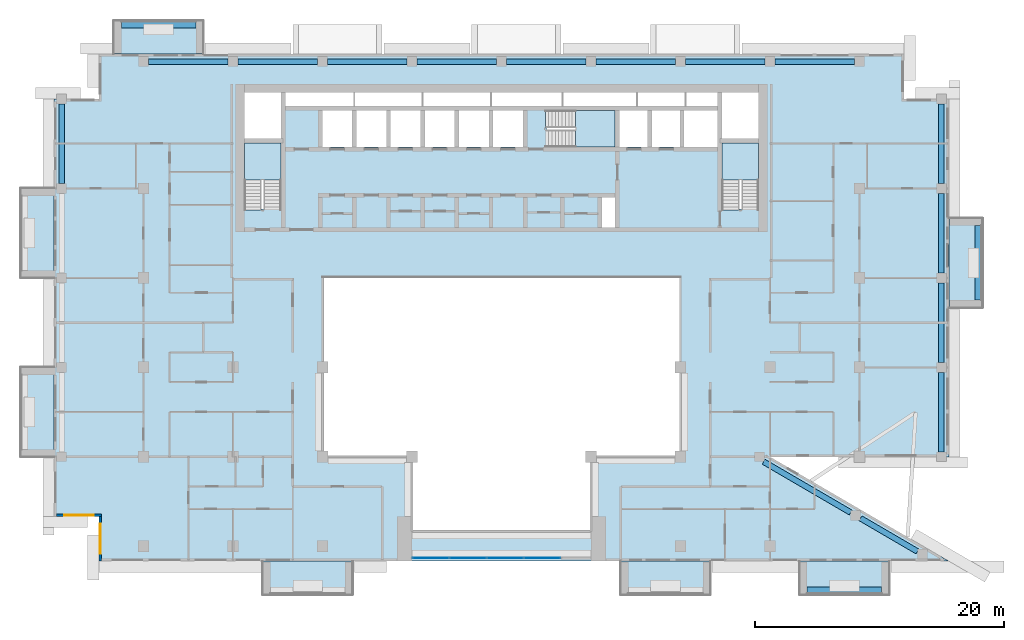
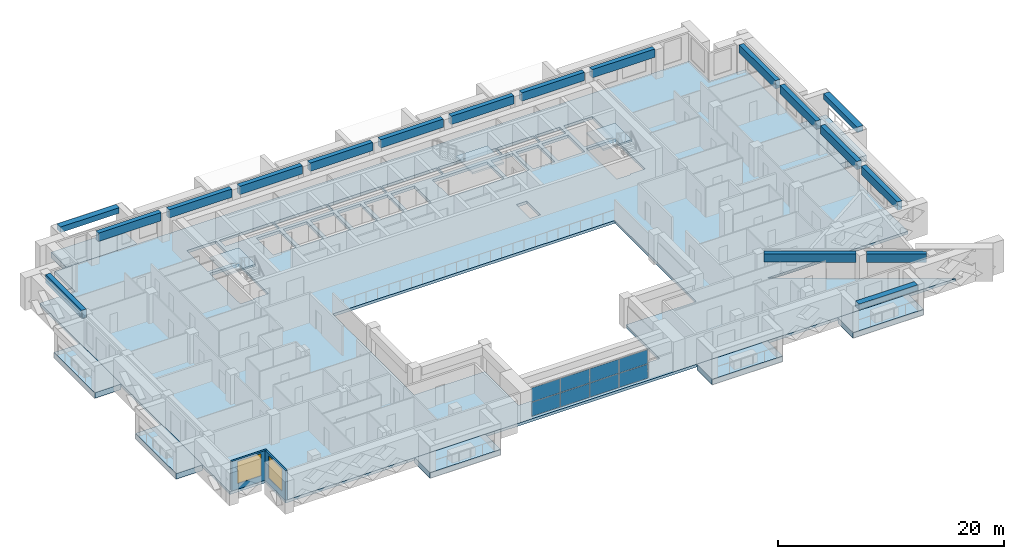
# One storey, part 5 of 20: 18 beams, 11 slabs, 8 plates, 2 walls, 2 windows, 2 openings, 4 elements without a shape of their own.
"""IFC4 building model written with IfcOpenShell, lengths in metres."""

import ifcopenshell
import ifcopenshell.guid

model = None  # the IFC model being written
_history = None  # IfcOwnerHistory: only IFC2X3 demands one
_inside = {}  # id of a spatial element -> (the spatial element, [elements in it])
_under = {}  # id of a project, library or spatial element -> (it, [spatial elements below it])
_declared = {}  # id of a project -> (the project, [libraries it declares])
_typed = {}  # id of a type object -> (the type object, [elements of that type])
_made_of = {}  # id of a material, layer set ... -> (it, [elements and type objects made of it])


def new_model(schema):
    """Start an empty IFC model of exactly this schema.

    Asked for "IFC4X3", IfcOpenShell would pick the latest addendum, in which some entities
    have other attributes; the version numbers below select the first issue.
    IFC2X3 requires an IfcOwnerHistory on every rooted entity: one is made here for all.
    """
    global model, _history
    if schema == "IFC4X3":
        model = ifcopenshell.file(schema_version=(4, 3, 0, 0))
    else:
        model = ifcopenshell.file(schema=schema)
    _inside.clear()
    _under.clear()
    _declared.clear()
    _typed.clear()
    _made_of.clear()
    _history = None
    if model.schema == "IFC2X3":
        org = make("IfcOrganization", Name="unknown")
        user = make(
            "IfcPersonAndOrganization",
            ThePerson=make("IfcPerson", FamilyName="unknown"),
            TheOrganization=org,
        )
        app = make(
            "IfcApplication",
            ApplicationDeveloper=org,
            Version="unknown",
            ApplicationFullName="unknown",
            ApplicationIdentifier="unknown",
        )
        _history = make(
            "IfcOwnerHistory",
            OwningUser=user,
            OwningApplication=app,
            ChangeAction="ADDED",
            CreationDate=0,
        )
    return model


def make(cls, **values):
    """One entity of the class cls with the attributes given. An attribute that is None is left unset."""
    return model.create_entity(
        cls, **{name: value for name, value in values.items() if value is not None}
    )


def rooted(cls, **values):
    """An entity with a GlobalId (a new one), such as an element, a storey or a relation."""
    return make(cls, GlobalId=ifcopenshell.guid.new(), OwnerHistory=_history, **values)


def si_unit(unit_type, name, prefix=None):
    """IfcSIUnit, for example si_unit("LENGTHUNIT", "METRE", prefix="MILLI")."""
    return make("IfcSIUnit", UnitType=unit_type, Prefix=prefix, Name=name)


def assignment(units):
    """IfcUnitAssignment: the units of a project."""
    return None if units is None else make("IfcUnitAssignment", Units=units)


def point(xyz):
    """IfcCartesianPoint."""
    return None if xyz is None else make("IfcCartesianPoint", Coordinates=xyz)


def direction(xyz):
    """IfcDirection."""
    return None if xyz is None else make("IfcDirection", DirectionRatios=xyz)


def frame(location, z_axis=None, x_axis=None):
    """IfcAxis2Placement3D, a coordinate frame: its origin and axes. An axis left out is left unset."""
    return make(
        "IfcAxis2Placement3D",
        Location=point(location),
        Axis=direction(z_axis),
        RefDirection=direction(x_axis),
    )


def frame_2d(location, x_axis=None):
    """IfcAxis2Placement2D, a coordinate frame in the plane: its origin and x axis."""
    return make(
        "IfcAxis2Placement2D", Location=point(location), RefDirection=direction(x_axis)
    )


def origin():
    """The frame at (0, 0, 0) with its axes left unset."""
    return frame((0.0, 0.0, 0.0))


def origin_2d():
    """The frame at (0, 0) in the plane with its x axis left unset."""
    return frame_2d((0.0, 0.0))


def place(relative_to, where):
    """IfcLocalPlacement: puts the frame where relative to a parent placement (None: the world)."""
    return make(
        "IfcLocalPlacement", PlacementRelTo=relative_to, RelativePlacement=where
    )


def context(
    kind, dimensions, precision=None, world=None, true_north=None, identifier=None
):
    """IfcGeometricRepresentationContext, for example the 3D "Model" context."""
    return make(
        "IfcGeometricRepresentationContext",
        ContextIdentifier=identifier,
        ContextType=kind,
        CoordinateSpaceDimension=dimensions,
        Precision=precision,
        WorldCoordinateSystem=world,
        TrueNorth=true_north,
    )


def subcontext(parent, identifier, kind, view, scale=None):
    """IfcGeometricRepresentationSubContext, for example "Body" below "Model"."""
    return make(
        "IfcGeometricRepresentationSubContext",
        ContextIdentifier=identifier,
        ContextType=kind,
        ParentContext=parent,
        TargetScale=scale,
        TargetView=view,
    )


def project(units=None, contexts=None):
    """IfcProject with its units and contexts."""
    return rooted(
        "IfcProject",
        Name="project",
        RepresentationContexts=contexts,
        UnitsInContext=assignment(units),
    )


def spatial(cls, under=None, at=None, **own):
    """A site, building, storey or space (cls), placed at a placement, below another one or the project."""
    s = rooted(cls, ObjectPlacement=at, **own)
    if under is not None:
        _under.setdefault(under.id(), (under, []))[1].append(s)
    return s


def polyline(points):
    """IfcPolyline through the points."""
    return make("IfcPolyline", Points=[point(p) for p in points])


def profile(cls, at=None, kind="AREA", **sizes):
    """A parametric profile (cls). Its sizes go by their IFC names, for example OverallWidth=200.0."""
    return make(cls, ProfileType=kind, Position=at, **sizes)


def rectangle(**sizes):
    """IfcRectangleProfileDef."""
    return profile("IfcRectangleProfileDef", **sizes)


def outline(outer, holes=None, kind="AREA"):
    """IfcArbitraryClosedProfileDef: a profile drawn as a closed curve; with holes, ...WithVoids."""
    if holes is None:
        return make("IfcArbitraryClosedProfileDef", ProfileType=kind, OuterCurve=outer)
    return make(
        "IfcArbitraryProfileDefWithVoids",
        ProfileType=kind,
        OuterCurve=outer,
        InnerCurves=holes,
    )


def extrude(swept, where, along, depth):
    """IfcExtrudedAreaSolid: the profile swept, set in the frame where, extruded along a direction by depth."""
    return make(
        "IfcExtrudedAreaSolid",
        SweptArea=swept,
        Position=where,
        ExtrudedDirection=direction(along),
        Depth=depth,
    )


def shape(context_of_items, identifier, shape_type, items):
    """IfcShapeRepresentation: the items that make up one representation, for example the "Body"."""
    return make(
        "IfcShapeRepresentation",
        ContextOfItems=context_of_items,
        RepresentationIdentifier=identifier,
        RepresentationType=shape_type,
        Items=items,
    )


def source(mapping_origin, context_of_items, identifier, shape_type, items):
    """IfcRepresentationMap: a shape defined once, which mapped items show again and again."""
    return make(
        "IfcRepresentationMap",
        MappingOrigin=mapping_origin,
        MappedRepresentation=shape(context_of_items, identifier, shape_type, items),
    )


def transform(
    local_origin,
    x_axis=None,
    y_axis=None,
    z_axis=None,
    scale=None,
    scale2=None,
    scale3=None,
    uniform=True,
):
    """IfcCartesianTransformationOperator3D, or its non-uniform kind. x_axis, y_axis, z_axis: its Axis1, 2, 3."""
    if uniform:
        return make(
            "IfcCartesianTransformationOperator3D",
            Axis1=direction(x_axis),
            Axis2=direction(y_axis),
            LocalOrigin=point(local_origin),
            Scale=scale,
            Axis3=direction(z_axis),
        )
    return make(
        "IfcCartesianTransformationOperator3DnonUniform",
        Axis1=direction(x_axis),
        Axis2=direction(y_axis),
        LocalOrigin=point(local_origin),
        Scale=scale,
        Axis3=direction(z_axis),
        Scale2=scale2,
        Scale3=scale3,
    )


def mapped(mapping_source, mapping_target):
    """IfcMappedItem: shows the shape of a source again, moved by a transform."""
    return make(
        "IfcMappedItem", MappingSource=mapping_source, MappingTarget=mapping_target
    )


def material(Name=None, Category=None):
    """IfcMaterial."""
    return make("IfcMaterial", Name=Name, Category=Category)


def layer(
    of_material, thickness, ventilated=None, Name=None, Category=None, Priority=None
):
    """IfcMaterialLayer: one layer of a wall or slab, of a material (None: an air gap)."""
    return make(
        "IfcMaterialLayer",
        Material=of_material,
        LayerThickness=thickness,
        IsVentilated=ventilated,
        Name=Name,
        Category=Category,
        Priority=Priority,
    )


def layer_set(layers, Name=None):
    """IfcMaterialLayerSet."""
    return make("IfcMaterialLayerSet", MaterialLayers=layers, LayerSetName=Name)


def material_profile(
    of_material, cross_section, Name=None, Category=None, Priority=None
):
    """IfcMaterialProfile: a cross section and its material."""
    return make(
        "IfcMaterialProfile",
        Name=Name,
        Material=of_material,
        Profile=cross_section,
        Priority=Priority,
        Category=Category,
    )


def profile_set(profiles, Name=None, composite=None):
    """IfcMaterialProfileSet."""
    return make(
        "IfcMaterialProfileSet",
        Name=Name,
        MaterialProfiles=profiles,
        CompositeProfile=composite,
    )


def made_of(thing, what):
    """Note that an element or type object is made of a material, layer set ...; save() writes the relation."""
    if what is not None:
        _made_of.setdefault(what.id(), (what, []))[1].append(thing)
    return thing


def type_object(cls, material=None, **own):
    """A type object (cls), such as IfcWallType, which elements share."""
    return made_of(rooted(cls, **own), material)


def element(
    cls,
    number,
    at=None,
    inside=None,
    cuts=None,
    type_object=None,
    material=None,
    context=None,
    identifier="Body",
    shape_type=None,
    held_by="IfcProductDefinitionShape",
    body=None,
    shapes=None,
    **own,
):
    """One element of the class cls, such as IfcWall. Its Tag is "e" and its number.

    at: its placement. inside: the storey or other place that contains it. cuts: it is an
    opening in that element (IfcRelVoidsElement). A single representation is given by context,
    identifier, shape_type and body (its items); several are given by shapes. held_by: the class
    of the entity that holds the representations. save() writes the other relations.
    """
    e = rooted(cls, Tag="e%d" % number, ObjectPlacement=at, **own)
    if body is not None:
        shapes = [shape(context, identifier, shape_type, body)]
    if shapes is not None:
        e.Representation = make(held_by, Representations=shapes)
    if inside is not None:
        _inside.setdefault(inside.id(), (inside, []))[1].append(e)
    if cuts is not None:
        rooted(
            "IfcRelVoidsElement", RelatingBuildingElement=cuts, RelatedOpeningElement=e
        )
    if type_object is not None:
        _typed.setdefault(type_object.id(), (type_object, []))[1].append(e)
    return made_of(e, material)


def fill(opening, filler):
    """IfcRelFillsElement: the door or window that sits in an opening."""
    return rooted(
        "IfcRelFillsElement",
        RelatingOpeningElement=opening,
        RelatedBuildingElement=filler,
    )


def aggregate(whole, parts):
    """IfcRelAggregates: a whole, such as a stair, and the parts it consists of."""
    return rooted("IfcRelAggregates", RelatingObject=whole, RelatedObjects=parts)


def save(model, path):
    """Write the relations noted so far, then the file.

    IfcRelAggregates (storeys below a building ...), IfcRelContainedInSpatialStructure (elements
    in a storey), IfcRelDefinesByType, IfcRelAssociatesMaterial and IfcRelDeclares: one each for
    every whole, place, type object, material and project.
    """
    for whole, parts in _under.values():
        aggregate(whole, parts)
    for where, things in _inside.values():
        rooted(
            "IfcRelContainedInSpatialStructure",
            RelatedElements=things,
            RelatingStructure=where,
        )
    for kind, things in _typed.values():
        rooted("IfcRelDefinesByType", RelatedObjects=things, RelatingType=kind)
    for what, things in _made_of.values():
        rooted("IfcRelAssociatesMaterial", RelatedObjects=things, RelatingMaterial=what)
    for by, libraries in _declared.values():
        rooted("IfcRelDeclares", RelatingContext=by, RelatedDefinitions=libraries)
    model.write(path)


model = new_model("IFC4")

# Units and contexts
model_context = context("Model", 3, precision=1e-05, world=origin(), true_north=direction((0.0, 1.0)))
body_context = subcontext(model_context, "Body", "Model", "MODEL_VIEW")
ifc_project = project(units=[si_unit("LENGTHUNIT", "METRE"), si_unit("AREAUNIT", "SQUARE_METRE"), si_unit("VOLUMEUNIT", "CUBIC_METRE"), si_unit("PLANEANGLEUNIT", "RADIAN"), si_unit("MASSUNIT", "GRAM", prefix="KILO")], contexts=[model_context])

# Site, building, storey
site_placement = place(None, origin())
site = spatial("IfcSite", under=ifc_project, at=site_placement, CompositionType="ELEMENT")
building_placement = place(site_placement, origin())
building = spatial("IfcBuilding", under=site, at=building_placement, Name="Saffron Iwan Residences", CompositionType="ELEMENT")
storey_placement = place(building_placement, frame((0.0, 0.0, 174.5)))
storey = spatial("IfcBuildingStorey", under=building, at=storey_placement, Name="L46", CompositionType="ELEMENT", Elevation=174.5)

# Beams
ifc_material_1 = material(Name="Concrete C50/60", Category="concrete")
ifc_material_profile_1 = material_profile(ifc_material_1, rectangle(XDim=0.449951171875, YDim=0.89990234375, at=origin_2d()), Name="RC 450x900")
ifc_profile_set_1 = profile_set([ifc_material_profile_1], Name="Concrete C50/60")
beam_type_1 = type_object("IfcBeamType", Name="SPANDREL BEAM RC 450x900 C50/60 TOP 3200", PredefinedType="SPANDREL", material=ifc_profile_set_1)
shared_shape_1 = source(origin(), body_context, "Body", "SweptSolid", [
    extrude(rectangle(XDim=0.449951171875, YDim=0.89990234375, at=origin_2d()), origin(), (0.0, 0.0, 1.0), 5.300537109375),
])
beam_1_placement = place(storey_placement, frame((79.297607421875, 43.04833984375, 2.75), z_axis=(0.86379560586, -0.503842387357, 0.0), x_axis=(0.503842387357, 0.86379560586, 0.0)))
element("IfcBeam", 1, at=beam_1_placement, inside=storey, type_object=beam_type_1, Name="Spandrel beam", PredefinedType="SPANDREL", context=body_context, shape_type="MappedRepresentation", body=[
    mapped(shared_shape_1, transform((0.0, 0.0, 0.0))),
])
shared_shape_2 = source(origin(), body_context, "Body", "SweptSolid", [
    extrude(rectangle(XDim=0.449951171875, YDim=0.89990234375, at=origin_2d()), origin(), (0.0, 0.0, 1.0), 8.107177734375),
])
beam_2_placement = place(storey_placement, frame((71.494873046875, 47.60009765625, 2.75), z_axis=(0.863783269703, -0.503863536071, 0.0), x_axis=(0.503863536071, 0.863783269703, 0.0)))
element("IfcBeam", 2, at=beam_2_placement, inside=storey, type_object=beam_type_1, Name="Spandrel beam", PredefinedType="SPANDREL", context=body_context, shape_type="MappedRepresentation", body=[
    mapped(shared_shape_2, transform((0.0, 0.0, 0.0))),
])
shared_shape_3 = source(origin(), body_context, "Body", "SweptSolid", [
    extrude(rectangle(XDim=0.449951171875, YDim=0.89990234375, at=origin_2d()), origin(), (0.0, 0.0, 1.0), 6.400146484375),
])
for number, where, z_axis, x_axis, name in (
    (3, (85.800048828125, 54.800048828125, 2.75), (0.0, -1.0, 0.0), (1.0, 0.0, 0.0), "Spandrel beam"),
    (4, (29.199951171875, 79.800048828125, 2.75), (1.0, 0.0, 0.0), (0.0, 1.0, 0.0), "Spandrel beam"),
    (5, (36.39990234375, 79.800048828125, 2.75), (1.0, 0.0, 0.0), (0.0, 1.0, 0.0), "Spandrel beam"),
    (6, (65.199951171875, 79.800048828125, 2.75), (1.0, 0.0, 0.0), (0.0, 1.0, 0.0), "Spandrel beam"),
    (7, (72.39990234375, 79.800048828125, 2.75), (1.0, 0.0, 0.0), (0.0, 1.0, 0.0), "Spandrel beam"),
):
    element("IfcBeam", number, at=place(storey_placement, frame(where, z_axis=z_axis, x_axis=x_axis)), inside=storey, type_object=beam_type_1, Name=name, PredefinedType="SPANDREL", context=body_context, shape_type="MappedRepresentation", body=[
        mapped(shared_shape_3, transform((0.0, 0.0, 0.0))),
    ])
shared_shape_4 = source(origin(), body_context, "Body", "SweptSolid", [
    extrude(rectangle(XDim=0.449951171875, YDim=0.89990234375, at=origin_2d()), origin(), (0.0, 0.0, 1.0), 6.39990234375),
])
for number, where, z_axis, x_axis, name in (
    (8, (85.800048828125, 62.0, 2.75), (0.0, -1.0, 0.0), (1.0, 0.0, 0.0), "Spandrel beam"),
    (9, (85.800048828125, 69.199951171875, 2.75), (0.0, -1.0, 0.0), (1.0, 0.0, 0.0), "Spandrel beam"),
    (10, (15.0, 70.0, 2.75), (0.0, 1.0, 0.0), (-1.0, 0.0, 0.0), "Spandrel beam"),
    (11, (85.800048828125, 76.39990234375, 2.75), (0.0, -1.0, 0.0), (1.0, 0.0, 0.0), "Spandrel beam"),
    (12, (22.0, 79.800048828125, 2.75), (1.0, 0.0, 0.0), (0.0, 1.0, 0.0), "Spandrel beam"),
    (13, (43.60009765625, 79.800048828125, 2.75), (1.0, 0.0, 0.0), (0.0, 1.0, 0.0), "Spandrel beam"),
    (14, (50.800048828125, 79.800048828125, 2.75), (1.0, 0.0, 0.0), (0.0, 1.0, 0.0), "Spandrel beam"),
    (15, (58.0, 79.800048828125, 2.75), (1.0, 0.0, 0.0), (0.0, 1.0, 0.0), "Spandrel beam"),
):
    element("IfcBeam", number, at=place(storey_placement, frame(where, z_axis=z_axis, x_axis=x_axis)), inside=storey, type_object=beam_type_1, Name=name, PredefinedType="SPANDREL", context=body_context, shape_type="MappedRepresentation", body=[
        mapped(shared_shape_4, transform((0.0, 0.0, 0.0))),
    ])
ifc_material_2 = material(Name="Concrete C50/60 white painted", Category="concrete")
ifc_material_profile_2 = material_profile(ifc_material_2, rectangle(XDim=0.60009765625, YDim=0.60009765625, at=origin_2d()), Name="BALCONY FASCIA BEAM 600 x 600")
ifc_profile_set_2 = profile_set([ifc_material_profile_2], Name="Concrete C50/60 white painted")
beam_type_2 = type_object("IfcBeamType", Name="BALCONY FASCIA BEAM 600 x 600", PredefinedType="BEAM", material=ifc_profile_set_2)
shared_shape_5 = source(origin(), body_context, "Body", "SweptSolid", [
    extrude(rectangle(XDim=0.60009765625, YDim=0.60009765625, at=origin_2d()), origin(), (0.0, 0.0, 1.0), 6.0),
])
for number, where, z_axis, x_axis, name in (
    (16, (88.800048828125, 60.60009765625, 2.550048828125), (0.0, 1.0, 0.0), (-1.0, 0.0, 0.0), "Balcony fascia beam L46 F2-0"),
    (17, (25.800048828125, 82.800048828125, 2.550048828125), (-1.0, 0.0, 0.0), (0.0, -1.0, 0.0), "Balcony fascia beam L46 F5-3"),
    (18, (75.0, 37.199951171875, 2.550048828125), (1.0, 0.0, 0.0), (0.0, 1.0, 0.0), "Balcony fascia beam L46 11-2"),
):
    element("IfcBeam", number, at=place(storey_placement, frame(where, z_axis=z_axis, x_axis=x_axis)), inside=storey, type_object=beam_type_2, Name=name, PredefinedType="BEAM", context=body_context, shape_type="MappedRepresentation", body=[
        mapped(shared_shape_5, transform((0.0, 0.0, 0.0))),
    ])

# Slabs
ifc_layer_1 = layer(ifc_material_2, 0.60009765625)
ifc_layer_set_1 = layer_set([ifc_layer_1], Name="Concrete C50/60 white painted")
slab_type_1 = type_object("IfcSlabType", Name="BALCONY FRAME SLAB 600", PredefinedType="FLOOR", material=ifc_layer_set_1)
slab_1_placement = place(storey_placement, frame((0.0, 0.0, -0.60009765625)))
element("IfcSlab", 19, at=slab_1_placement, inside=storey, type_object=slab_type_1, Name="Balcony frame slab L46 F2-0", PredefinedType="FLOOR", context=body_context, shape_type="SweptSolid", body=[
    extrude(outline(polyline([(89.10009765625, 60.0), (89.10009765625, 67.199951171875), (86.39990234375, 67.199951171875), (86.39990234375, 60.0), (89.10009765625, 60.0)])), origin(), (0.0, 0.0, 1.0), 0.60009765625),
])
slab_2_placement = place(storey_placement, frame((0.0, 0.0, -0.60009765625)))
element("IfcSlab", 20, at=slab_2_placement, inside=storey, type_object=slab_type_1, Name="Balcony frame slab L46 F5-3", PredefinedType="FLOOR", context=body_context, shape_type="SweptSolid", body=[
    extrude(outline(polyline([(26.39990234375, 83.10009765625), (19.199951171875, 83.10009765625), (19.199951171875, 80.39990234375), (26.39990234375, 80.39990234375), (26.39990234375, 83.10009765625)])), origin(), (0.0, 0.0, 1.0), 0.60009765625),
])
slab_3_placement = place(storey_placement, frame((0.0, 0.0, -0.60009765625)))
element("IfcSlab", 21, at=slab_3_placement, inside=storey, type_object=slab_type_1, Name="Balcony frame slab L46 F8-0", PredefinedType="FLOOR", context=body_context, shape_type="SweptSolid", body=[
    extrude(outline(polyline([(11.699951171875, 69.60009765625), (11.699951171875, 62.39990234375), (14.39990234375, 62.39990234375), (14.39990234375, 69.60009765625), (11.699951171875, 69.60009765625)])), origin(), (0.0, 0.0, 1.0), 0.60009765625),
])
slab_4_placement = place(storey_placement, frame((0.0, 0.0, -0.60009765625)))
element("IfcSlab", 22, at=slab_4_placement, inside=storey, type_object=slab_type_1, Name="Balcony frame slab L46 F8-1", PredefinedType="FLOOR", context=body_context, shape_type="SweptSolid", body=[
    extrude(outline(polyline([(11.699951171875, 55.199951171875), (11.699951171875, 48.0), (14.39990234375, 48.0), (14.39990234375, 55.199951171875), (11.699951171875, 55.199951171875)])), origin(), (0.0, 0.0, 1.0), 0.60009765625),
])
slab_5_placement = place(storey_placement, frame((0.0, 0.0, -0.60009765625)))
element("IfcSlab", 23, at=slab_5_placement, inside=storey, type_object=slab_type_1, Name="Balcony frame slab L46 11-0", PredefinedType="FLOOR", context=body_context, shape_type="SweptSolid", body=[
    extrude(outline(polyline([(31.199951171875, 36.89990234375), (38.39990234375, 36.89990234375), (38.39990234375, 39.60009765625), (31.199951171875, 39.60009765625), (31.199951171875, 36.89990234375)])), origin(), (0.0, 0.0, 1.0), 0.60009765625),
])
slab_6_placement = place(storey_placement, frame((0.0, 0.0, -0.60009765625)))
element("IfcSlab", 24, at=slab_6_placement, inside=storey, type_object=slab_type_1, Name="Balcony frame slab L46 11-1", PredefinedType="FLOOR", context=body_context, shape_type="SweptSolid", body=[
    extrude(outline(polyline([(60.0, 36.89990234375), (67.199951171875, 36.89990234375), (67.199951171875, 39.60009765625), (60.0, 39.60009765625), (60.0, 36.89990234375)])), origin(), (0.0, 0.0, 1.0), 0.60009765625),
])
slab_7_placement = place(storey_placement, frame((0.0, 0.0, -0.60009765625)))
element("IfcSlab", 25, at=slab_7_placement, inside=storey, type_object=slab_type_1, Name="Balcony frame slab L46 11-2", PredefinedType="FLOOR", context=body_context, shape_type="SweptSolid", body=[
    extrude(outline(polyline([(74.39990234375, 36.89990234375), (81.60009765625, 36.89990234375), (81.60009765625, 39.60009765625), (74.39990234375, 39.60009765625), (74.39990234375, 36.89990234375)])), origin(), (0.0, 0.0, 1.0), 0.60009765625),
])
ifc_material_3 = material(Name="Concrete C40/50", Category="concrete")
ifc_layer_2 = layer(ifc_material_3, 0.300048828125)
ifc_layer_set_2 = layer_set([ifc_layer_2], Name="Concrete C40/50")
slab_type_2 = type_object("IfcSlabType", Name="PT PLATE 300 C40/50", PredefinedType="FLOOR", material=ifc_layer_set_2)
slab_8_placement = place(storey_placement, frame((0.0, 0.0, -0.300048828125)))
element("IfcSlab", 26, at=slab_8_placement, inside=storey, type_object=slab_type_2, Name="Floor slab L46", PredefinedType="FLOOR", context=body_context, shape_type="SweptSolid", body=[
    extrude(outline(polyline([(14.39990234375, 43.199951171875), (14.39990234375, 76.800048828125), (18.0, 76.800048828125), (18.0, 80.39990234375), (82.800048828125, 80.39990234375), (82.800048828125, 76.800048828125), (86.39990234375, 76.800048828125), (86.39990234375, 48.0), (72.0, 48.0), (86.39990234375, 39.60009765625), (18.0, 39.60009765625), (18.0, 43.199951171875), (14.39990234375, 43.199951171875)]), holes=[polyline([(64.800048828125, 48.0), (64.800048828125, 62.39990234375), (36.0, 62.39990234375), (36.0, 48.0), (43.199951171875, 48.0), (43.199951171875, 42.0), (57.60009765625, 42.0), (57.60009765625, 48.0), (64.800048828125, 48.0)]), polyline([(29.699951171875, 73.25), (29.699951171875, 67.949951171875), (29.699951171875, 67.8505859375), (31.10009765625, 67.8505859375), (31.10009765625, 67.949951171875), (32.64990234375, 67.949951171875), (32.64990234375, 73.25), (29.699951171875, 73.25)]), polyline([(38.375, 75.875), (35.97509765625, 75.875), (35.97509765625, 72.925048828125), (38.375, 72.925048828125), (38.375, 75.875)]), polyline([(41.125, 75.875), (38.72509765625, 75.875), (38.72509765625, 72.925048828125), (41.125, 72.925048828125), (41.125, 75.875)]), polyline([(43.875, 72.925048828125), (43.875, 75.875), (41.47509765625, 75.875), (41.47509765625, 72.925048828125), (43.875, 72.925048828125)]), polyline([(46.625, 72.925048828125), (46.625, 75.875), (44.22509765625, 75.875), (44.22509765625, 72.925048828125), (46.625, 72.925048828125)]), polyline([(49.375, 75.875), (46.97509765625, 75.875), (46.97509765625, 72.925048828125), (49.375, 72.925048828125), (49.375, 75.875)]), polyline([(52.125, 72.925048828125), (52.125, 75.875), (49.72509765625, 75.875), (49.72509765625, 72.925048828125), (52.125, 72.925048828125)]), polyline([(32.64990234375, 73.60009765625), (32.64990234375, 77.300048828125), (29.699951171875, 77.300048828125), (29.699951171875, 73.60009765625), (32.64990234375, 73.60009765625)]), polyline([(38.5, 77.300048828125), (33.0, 77.300048828125), (33.0, 76.22509765625), (38.5, 76.22509765625), (38.5, 77.300048828125)]), polyline([(44.0, 76.22509765625), (44.0, 77.300048828125), (38.60009765625, 77.300048828125), (38.60009765625, 76.22509765625), (44.0, 76.22509765625)]), polyline([(49.5, 76.22509765625), (49.5, 77.300048828125), (44.10009765625, 77.300048828125), (44.10009765625, 76.22509765625), (49.5, 76.22509765625)]), polyline([(59.550048828125, 68.875), (58.47509765625, 68.875), (58.47509765625, 66.449951171875), (59.550048828125, 66.449951171875), (59.550048828125, 68.875)]), polyline([(68.14990234375, 73.25), (68.14990234375, 67.949951171875), (68.14990234375, 67.8505859375), (69.550048828125, 67.8505859375), (69.550048828125, 67.949951171875), (71.10009765625, 67.949951171875), (71.10009765625, 73.25), (68.14990234375, 73.25)]), polyline([(54.02490234375, 74.47509765625), (54.02490234375, 72.925048828125), (59.550048828125, 72.925048828125), (59.550048828125, 75.875), (54.02490234375, 75.875), (53.925537109375, 75.875), (53.925537109375, 74.47509765625), (54.02490234375, 74.47509765625)]), polyline([(62.14990234375, 72.925048828125), (62.14990234375, 75.875), (59.89990234375, 75.875), (59.89990234375, 72.925048828125), (62.14990234375, 72.925048828125)]), polyline([(64.75, 72.925048828125), (64.75, 75.875), (62.5, 75.875), (62.5, 72.925048828125), (64.75, 72.925048828125)]), polyline([(67.800048828125, 75.875), (65.10009765625, 75.875), (65.10009765625, 72.925048828125), (67.800048828125, 72.925048828125), (67.800048828125, 75.875)]), polyline([(71.10009765625, 73.60009765625), (71.10009765625, 77.300048828125), (68.14990234375, 77.300048828125), (68.14990234375, 73.60009765625), (71.10009765625, 73.60009765625)]), polyline([(55.25, 76.22509765625), (55.25, 77.300048828125), (49.60009765625, 77.300048828125), (49.60009765625, 76.22509765625), (55.25, 76.22509765625)]), polyline([(61.25, 77.300048828125), (55.35009765625, 77.300048828125), (55.35009765625, 76.22509765625), (61.25, 76.22509765625), (61.25, 77.300048828125)]), polyline([(65.14990234375, 76.22509765625), (65.14990234375, 77.300048828125), (61.35009765625, 77.300048828125), (61.35009765625, 76.22509765625), (65.14990234375, 76.22509765625)]), polyline([(67.800048828125, 76.22509765625), (67.800048828125, 77.300048828125), (65.25, 77.300048828125), (65.25, 76.22509765625), (67.800048828125, 76.22509765625)])]), origin(), (0.0, 0.0, 1.0), 0.300048828125),
])

# Stair, slab
stair_type = type_object("IfcStairType", Name="Stair ST-CORE", PredefinedType="HALF_TURN_STAIR", material=ifc_material_1)
stair_1_placement = place(storey_placement, origin())
stair_1 = element("IfcStair", 27, at=stair_1_placement, inside=storey, type_object=stair_type, Name="L46 Exit Stair ST-W", PredefinedType="HALF_TURN_STAIR")
ifc_layer_3 = layer(ifc_material_1, 0.199951171875)
ifc_layer_set_3 = layer_set([ifc_layer_3], Name="Concrete C50/60")
slab_type_3 = type_object("IfcSlabType", Name="Stair landing SL-RC", PredefinedType="LANDING", material=ifc_layer_set_3)
slab_9_placement = place(storey_placement, frame((0.0, 0.0, 1.5498046875)))
slab_9 = element("IfcSlab", 28, at=slab_9_placement, type_object=slab_type_3, Name="ST-W landing 1", PredefinedType="LANDING", context=body_context, shape_type="SweptSolid", body=[
    extrude(outline(polyline([(32.64990234375, 70.280029296875), (32.64990234375, 73.25), (29.699951171875, 73.25), (29.699951171875, 70.280029296875), (32.64990234375, 70.280029296875)])), origin(), (0.0, 0.0, 1.0), 0.2001953125),
])
aggregate(stair_1, [slab_9])

stair_2_placement = place(storey_placement, origin())
stair_2 = element("IfcStair", 29, at=stair_2_placement, inside=storey, type_object=stair_type, Name="L46 Exit Stair ST-C", PredefinedType="HALF_TURN_STAIR")
slab_10_placement = place(storey_placement, frame((0.0, 0.0, 1.5498046875)))
slab_10 = element("IfcSlab", 30, at=slab_10_placement, type_object=slab_type_3, Name="ST-C landing 1", PredefinedType="LANDING", context=body_context, shape_type="SweptSolid", body=[
    extrude(outline(polyline([(56.35498046875, 72.925048828125), (59.550048828125, 72.925048828125), (59.550048828125, 75.875), (56.35498046875, 75.875), (56.35498046875, 72.925048828125)])), origin(), (0.0, 0.0, 1.0), 0.2001953125),
])
aggregate(stair_2, [slab_10])

stair_3_placement = place(storey_placement, origin())
stair_3 = element("IfcStair", 31, at=stair_3_placement, inside=storey, type_object=stair_type, Name="L46 Exit Stair ST-E", PredefinedType="HALF_TURN_STAIR")
slab_11_placement = place(storey_placement, frame((0.0, 0.0, 1.5498046875)))
slab_11 = element("IfcSlab", 32, at=slab_11_placement, type_object=slab_type_3, Name="ST-E landing 1", PredefinedType="LANDING", context=body_context, shape_type="SweptSolid", body=[
    extrude(outline(polyline([(71.10009765625, 70.280029296875), (71.10009765625, 73.25), (68.14990234375, 73.25), (68.14990234375, 70.280029296875), (71.10009765625, 70.280029296875)])), origin(), (0.0, 0.0, 1.0), 0.2001953125),
])
aggregate(stair_3, [slab_11])

# Curtain wall, plates
ifc_material_4 = material(Name="Clear glass, laminated double glazed", Category="glass")
ifc_layer_4 = layer(ifc_material_4, 0.199951171875)
ifc_layer_set_4 = layer_set([ifc_layer_4], Name="Clear glass, laminated double glazed")
curtain_wall_type = type_object("IfcCurtainWallType", Name="CW-B IWAN PORTAL", PredefinedType="NOTDEFINED", material=ifc_layer_set_4)
curtain_wall_placement = place(storey_placement, origin())
curtain_wall = element("IfcCurtainWall", 33, at=curtain_wall_placement, inside=storey, type_object=curtain_wall_type, Name="Iwan portal glazing L46.1", PredefinedType="NOTDEFINED")
ifc_layer_5 = layer(ifc_material_4, 0.028076171875)
ifc_layer_set_5 = layer_set([ifc_layer_5], Name="Clear glass, laminated double glazed")
plate_type = type_object("IfcPlateType", Name="CW-B PANEL 28", PredefinedType="CURTAIN_PANEL", material=ifc_layer_set_5)
shared_shape_6 = source(origin(), body_context, "Body", "SweptSolid", [
    extrude(rectangle(XDim=2.909912109375, YDim=0.028076171875, at=origin_2d()), origin(), (0.0, 0.0, 1.0), 1.510009765625),
])
plate_1_placement = place(storey_placement, frame((44.715087890625, 39.85009765625, 0.06005859375), z_axis=(0.0, 0.0, 1.0), x_axis=(1.0, 0.0, 0.0)))
plate_1 = element("IfcPlate", 34, at=plate_1_placement, type_object=plate_type, Name="CW-B panel 1.1", PredefinedType="CURTAIN_PANEL", context=body_context, shape_type="MappedRepresentation", body=[
    mapped(shared_shape_6, transform((0.0, 0.0, 0.0))),
])
plate_2_placement = place(storey_placement, frame((44.715087890625, 39.85009765625, 1.6298828125), z_axis=(0.0, 0.0, 1.0), x_axis=(1.0, 0.0, 0.0)))
plate_2 = element("IfcPlate", 35, at=plate_2_placement, type_object=plate_type, Name="CW-B panel 1.2", PredefinedType="CURTAIN_PANEL", context=body_context, shape_type="MappedRepresentation", body=[
    mapped(shared_shape_6, transform((0.0, 0.0, 0.0))),
])
plate_3_placement = place(storey_placement, frame((53.68505859375, 39.85009765625, 0.06005859375), z_axis=(0.0, 0.0, 1.0), x_axis=(1.0, 0.0, 0.0)))
plate_3 = element("IfcPlate", 36, at=plate_3_placement, type_object=plate_type, Name="CW-B panel 4.1", PredefinedType="CURTAIN_PANEL", context=body_context, shape_type="MappedRepresentation", body=[
    mapped(shared_shape_6, transform((0.0, 0.0, 0.0))),
])
plate_4_placement = place(storey_placement, frame((53.68505859375, 39.85009765625, 1.6298828125), z_axis=(0.0, 0.0, 1.0), x_axis=(1.0, 0.0, 0.0)))
plate_4 = element("IfcPlate", 37, at=plate_4_placement, type_object=plate_type, Name="CW-B panel 4.2", PredefinedType="CURTAIN_PANEL", context=body_context, shape_type="MappedRepresentation", body=[
    mapped(shared_shape_6, transform((0.0, 0.0, 0.0))),
])
shared_shape_7 = source(origin(), body_context, "Body", "SweptSolid", [
    extrude(rectangle(XDim=2.93994140625, YDim=0.028076171875, at=origin_2d()), origin(), (0.0, 0.0, 1.0), 1.510009765625),
])
plate_5_placement = place(storey_placement, frame((47.699951171875, 39.85009765625, 0.06005859375), z_axis=(0.0, 0.0, 1.0), x_axis=(1.0, 0.0, 0.0)))
plate_5 = element("IfcPlate", 38, at=plate_5_placement, type_object=plate_type, Name="CW-B panel 2.1", PredefinedType="CURTAIN_PANEL", context=body_context, shape_type="MappedRepresentation", body=[
    mapped(shared_shape_7, transform((0.0, 0.0, 0.0))),
])
plate_6_placement = place(storey_placement, frame((47.699951171875, 39.85009765625, 1.6298828125), z_axis=(0.0, 0.0, 1.0), x_axis=(1.0, 0.0, 0.0)))
plate_6 = element("IfcPlate", 39, at=plate_6_placement, type_object=plate_type, Name="CW-B panel 2.2", PredefinedType="CURTAIN_PANEL", context=body_context, shape_type="MappedRepresentation", body=[
    mapped(shared_shape_7, transform((0.0, 0.0, 0.0))),
])
plate_7_placement = place(storey_placement, frame((50.699951171875, 39.85009765625, 0.06005859375), z_axis=(0.0, 0.0, 1.0), x_axis=(1.0, 0.0, 0.0)))
plate_7 = element("IfcPlate", 40, at=plate_7_placement, type_object=plate_type, Name="CW-B panel 3.1", PredefinedType="CURTAIN_PANEL", context=body_context, shape_type="MappedRepresentation", body=[
    mapped(shared_shape_7, transform((0.0, 0.0, 0.0))),
])
plate_8_placement = place(storey_placement, frame((50.699951171875, 39.85009765625, 1.6298828125), z_axis=(0.0, 0.0, 1.0), x_axis=(1.0, 0.0, 0.0)))
plate_8 = element("IfcPlate", 41, at=plate_8_placement, type_object=plate_type, Name="CW-B panel 3.2", PredefinedType="CURTAIN_PANEL", context=body_context, shape_type="MappedRepresentation", body=[
    mapped(shared_shape_7, transform((0.0, 0.0, 0.0))),
])
aggregate(curtain_wall, [plate_1, plate_2, plate_5, plate_6, plate_7, plate_8, plate_3, plate_4])

# Wall, opening, window
ifc_layer_6 = layer(ifc_material_3, 0.199951171875)
ifc_layer_set_6 = layer_set([ifc_layer_6], Name="Concrete C40/50")
wall_type = type_object("IfcWallType", Name="EXTERNAL WALL 200", PredefinedType="SOLIDWALL", material=ifc_layer_set_6)
wall_1_placement = place(storey_placement, frame((14.60009765625, 43.300048828125, 0.0), z_axis=(0.0, 0.0, 1.0), x_axis=(1.0, 0.0, 0.0)))
wall_1 = element("IfcWall", 42, at=wall_1_placement, inside=storey, type_object=wall_type, Name="External wall L46 F9.0", PredefinedType="SOLIDWALL", context=body_context, shape_type="SweptSolid", body=[
    extrude(rectangle(XDim=3.599853515625, YDim=0.199951171875, at=frame_2d((1.7998046875, 0.0))), origin(), (0.0, 0.0, 1.0), 3.199951171875),
])
opening_1_placement = place(wall_1_placement, frame((0.60009765625, 0.0, 0.60009765625)))
opening_1 = element("IfcOpeningElement", 43, at=opening_1_placement, cuts=wall_1, Name="Opening W1", PredefinedType="OPENING", context=body_context, shape_type="SweptSolid", body=[
    extrude(rectangle(XDim=2.39990234375, YDim=2.39990234375, at=frame_2d((1.199951171875, 1.199951171875))), frame((0.0, 0.10986328125, 0.0), z_axis=(0.0, -1.0, 0.0), x_axis=(1.0, 0.0, 0.0)), (0.0, 0.0, 1.0), 0.219970703125),
])
window_type = type_object("IfcWindowType", Name="WINDOW 2400 x 2400", PartitioningType="DOUBLE_PANEL_VERTICAL", PredefinedType="WINDOW", material=ifc_material_4)
window_1_placement = place(opening_1_placement, origin())
window_1 = element("IfcWindow", 44, at=window_1_placement, inside=storey, type_object=window_type, Name="Window L46 F9.0", OverallHeight=2.39990234375, OverallWidth=2.39990234375, PartitioningType="DOUBLE_PANEL_VERTICAL", PredefinedType="WINDOW", context=body_context, shape_type="SweptSolid", body=[
    extrude(rectangle(XDim=2.39990234375, YDim=2.39990234375, at=frame_2d((1.199951171875, 1.199951171875))), frame((0.0, 0.030029296875, 0.0), z_axis=(0.0, -1.0, 0.0), x_axis=(1.0, 0.0, 0.0)), (0.0, 0.0, 1.0), 0.06005859375),
])
fill(opening_1, window_1)

wall_2_placement = place(storey_placement, frame((18.10009765625, 43.199951171875, 0.0), z_axis=(0.0, 0.0, 1.0), x_axis=(0.0, -1.0, 0.0)))
wall_2 = element("IfcWall", 45, at=wall_2_placement, inside=storey, type_object=wall_type, Name="External wall L46 F10.0", PredefinedType="SOLIDWALL", context=body_context, shape_type="SweptSolid", body=[
    extrude(rectangle(XDim=3.599853515625, YDim=0.199951171875, at=frame_2d((1.7998046875, 0.0))), origin(), (0.0, 0.0, 1.0), 3.199951171875),
])
opening_2_placement = place(wall_2_placement, frame((0.60009765625, 0.0, 0.60009765625)))
opening_2 = element("IfcOpeningElement", 46, at=opening_2_placement, cuts=wall_2, Name="Opening W1", PredefinedType="OPENING", context=body_context, shape_type="SweptSolid", body=[
    extrude(rectangle(XDim=2.39990234375, YDim=2.39990234375, at=frame_2d((1.199951171875, 1.199951171875))), frame((0.0, 0.10986328125, 0.0), z_axis=(0.0, -1.0, 0.0), x_axis=(1.0, 0.0, 0.0)), (0.0, 0.0, 1.0), 0.219970703125),
])
window_2_placement = place(opening_2_placement, origin())
window_2 = element("IfcWindow", 47, at=window_2_placement, inside=storey, type_object=window_type, Name="Window L46 F10.0", OverallHeight=2.39990234375, OverallWidth=2.39990234375, PartitioningType="DOUBLE_PANEL_VERTICAL", PredefinedType="WINDOW", context=body_context, shape_type="SweptSolid", body=[
    extrude(rectangle(XDim=2.39990234375, YDim=2.39990234375, at=frame_2d((1.199951171875, 1.199951171875))), frame((0.0, 0.030029296875, 0.0), z_axis=(0.0, -1.0, 0.0), x_axis=(1.0, 0.0, 0.0)), (0.0, 0.0, 1.0), 0.06005859375),
])
fill(opening_2, window_2)

save(model, "model.ifc")
